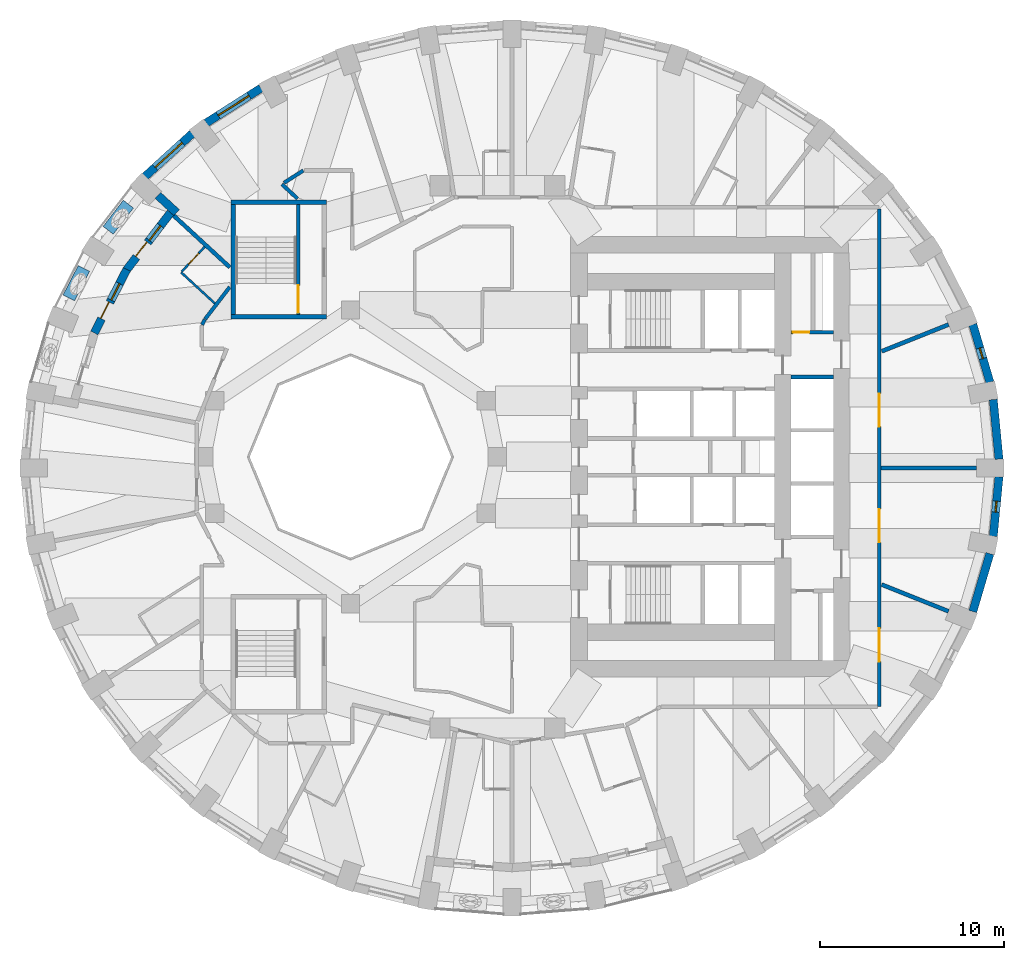
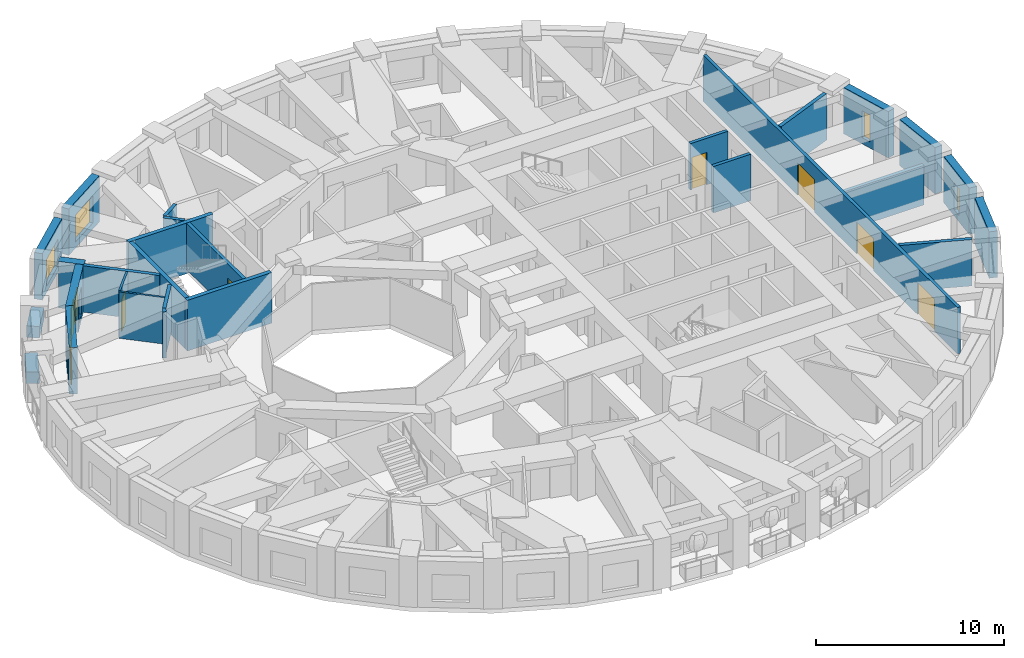
# One storey, part 7 of 13: 28 walls, 8 doors, 6 windows, 14 openings.
"""IFC4 building model written with IfcOpenShell, lengths in metres."""

from ifc_helpers import new_model, si_unit, direction, frame, frame_2d, origin, place, context, subcontext, project, spatial, rectangle, extrude, material, layer, layer_set, constituent, constituent_set, type_object, element, fill, save


model = new_model("IFC4")

# Units and contexts
model_context = context("Model", 3, precision=1e-05, world=origin(), true_north=direction((0.0, 1.0)))
body_context = subcontext(model_context, "Body", "Model", "MODEL_VIEW")
ifc_project = project(units=[si_unit("LENGTHUNIT", "METRE"), si_unit("AREAUNIT", "SQUARE_METRE"), si_unit("VOLUMEUNIT", "CUBIC_METRE"), si_unit("PLANEANGLEUNIT", "RADIAN"), si_unit("MASSUNIT", "GRAM", prefix="KILO")], contexts=[model_context])

# Site, building, storey
site_placement = place(None, origin())
site = spatial("IfcSite", under=ifc_project, at=site_placement, CompositionType="ELEMENT")
building_placement = place(site_placement, origin())
building = spatial("IfcBuilding", under=site, at=building_placement, Name="Taillehof Tower", CompositionType="ELEMENT")
storey_placement = place(building_placement, frame((0.0, 0.0, 108.699951171875)))
storey = spatial("IfcBuildingStorey", under=building, at=storey_placement, Name="L30", CompositionType="ELEMENT", Elevation=108.699951171875)

# Wall
ifc_material_1 = material(Name="Brick masonry", Category="masonry")
ifc_layer_1 = layer(ifc_material_1, 0.449951171875)
ifc_layer_set_1 = layer_set([ifc_layer_1], Name="Brick infill wall 450")
wall_type_1 = type_object("IfcWallType", Name="Brick infill wall 450", PredefinedType="SOLIDWALL", material=ifc_layer_set_1)
wall_1_placement = place(storey_placement, frame((27.32763671875, -0.119873046875, 0.0), z_axis=(0.0, 0.0, 1.0), x_axis=(-0.09589355735, 0.995391594127, 0.0)))
element("IfcWall", 1, at=wall_1_placement, inside=storey, type_object=wall_type_1, Name="Brick wall L30 bay 1", PredefinedType="SOLIDWALL", context=body_context, shape_type="SweptSolid", body=[
    extrude(rectangle(XDim=3.261474609375, YDim=0.449951171875, at=frame_2d((1.630859375, 0.0))), origin(), (0.0, 0.0, 1.0), 3.02001953125),
])

# Wall, opening, window
wall_2_placement = place(storey_placement, frame((26.83203125, 4.069091796875, 0.0), z_axis=(0.0, 0.0, 1.0), x_axis=(-0.283002902729, 0.959119052593, 0.0)))
wall_2 = element("IfcWall", 2, at=wall_2_placement, inside=storey, type_object=wall_type_1, Name="Brick wall L30 bay 2", PredefinedType="SOLIDWALL", context=body_context, shape_type="SweptSolid", body=[
    extrude(rectangle(XDim=3.285888671875, YDim=0.449951171875, at=frame_2d((1.64306640625, 0.0))), origin(), (0.0, 0.0, 1.0), 3.02001953125),
])
opening_1_placement = place(wall_2_placement, frame((1.343017578125, 0.0, 0.39990234375)))
opening_1 = element("IfcOpeningElement", 3, at=opening_1_placement, cuts=wall_2, Name="Opening W6", PredefinedType="OPENING", context=body_context, shape_type="SweptSolid", body=[
    extrude(rectangle(XDim=0.60009765625, YDim=1.75, at=frame_2d((0.300048828125, 0.875))), frame((0.0, 0.23486328125, 0.0), z_axis=(0.0, -1.0, 0.0), x_axis=(1.0, 0.0, 0.0)), (0.0, 0.0, 1.0), 0.469970703125),
])
ifc_material_2 = material(Name="Aluminium window frame with clear double glazing", Category="aluminium")
window_type_1 = type_object("IfcWindowType", Name="Slot window 600x1750", PartitioningType="SINGLE_PANEL", PredefinedType="WINDOW", material=ifc_material_2)
window_1_placement = place(opening_1_placement, origin())
window_1 = element("IfcWindow", 4, at=window_1_placement, inside=storey, type_object=window_type_1, Name="W6", OverallHeight=1.75, OverallWidth=0.60009765625, PartitioningType="SINGLE_PANEL", PredefinedType="WINDOW", context=body_context, shape_type="SweptSolid", body=[
    extrude(rectangle(XDim=0.60009765625, YDim=1.75, at=frame_2d((0.300048828125, 0.875))), frame((0.0, 0.034912109375, 0.0), z_axis=(0.0, -1.0, 0.0), x_axis=(1.0, 0.0, 0.0)), (0.0, 0.0, 1.0), 0.06005859375),
])
fill(opening_1, window_1)

wall_3_placement = place(storey_placement, frame((-12.87548828125, 20.087158203125, 0.0), z_axis=(0.0, 0.0, 1.0), x_axis=(-0.843860651879, -0.536562391722, 0.0)))
wall_3 = element("IfcWall", 5, at=wall_3_placement, inside=storey, type_object=wall_type_1, Name="Brick wall L30 bay 13", PredefinedType="SOLIDWALL", context=body_context, shape_type="SweptSolid", body=[
    extrude(rectangle(XDim=3.5322265625, YDim=0.449951171875, at=frame_2d((1.76611328125, 0.0))), origin(), (0.0, 0.0, 1.0), 3.02001953125),
])
opening_2_placement = place(wall_3_placement, frame((0.76611328125, 0.0, 0.39990234375)))
opening_2 = element("IfcOpeningElement", 6, at=opening_2_placement, cuts=wall_3, Name="Opening W2", PredefinedType="OPENING", context=body_context, shape_type="SweptSolid", body=[
    extrude(rectangle(XDim=2.0, YDim=1.75, at=frame_2d((1.0, 0.875))), frame((0.0, 0.23486328125, 0.0), z_axis=(0.0, -1.0, 0.0), x_axis=(1.0, 0.0, 0.0)), (0.0, 0.0, 1.0), 0.469970703125),
])
ifc_material_3 = material(Name="Aluminium window frame with clear double glazing", Category="aluminium")
window_type_2 = type_object("IfcWindowType", Name="Deep-set window 2000x1750", PartitioningType="SINGLE_PANEL", PredefinedType="WINDOW", material=ifc_material_3)
window_2_placement = place(opening_2_placement, origin())
window_2 = element("IfcWindow", 7, at=window_2_placement, inside=storey, type_object=window_type_2, Name="W2", OverallHeight=1.75, OverallWidth=2.0, PartitioningType="SINGLE_PANEL", PredefinedType="WINDOW", context=body_context, shape_type="SweptSolid", body=[
    extrude(rectangle(XDim=2.0, YDim=1.75, at=frame_2d((1.0, 0.875))), frame((0.0, 0.034912109375, 0.0), z_axis=(0.0, -1.0, 0.0), x_axis=(1.0, 0.0, 0.0)), (0.0, 0.0, 1.0), 0.06005859375),
])
fill(opening_2, window_2)

wall_4_placement = place(storey_placement, frame((-16.61962890625, 17.609619140625, 0.0), z_axis=(0.0, 0.0, 1.0), x_axis=(-0.74032902847, -0.672244694739, 0.0)))
wall_4 = element("IfcWall", 8, at=wall_4_placement, inside=storey, type_object=wall_type_1, Name="Brick wall L30 bay 14", PredefinedType="SOLIDWALL", context=body_context, shape_type="SweptSolid", body=[
    extrude(rectangle(XDim=3.4638671875, YDim=0.449951171875, at=frame_2d((1.73193359375, 0.0))), origin(), (0.0, 0.0, 1.0), 3.02001953125),
])
opening_3_placement = place(wall_4_placement, frame((0.73193359375, 0.0, 0.39990234375)))
opening_3 = element("IfcOpeningElement", 9, at=opening_3_placement, cuts=wall_4, Name="Opening W2", PredefinedType="OPENING", context=body_context, shape_type="SweptSolid", body=[
    extrude(rectangle(XDim=2.0, YDim=1.75, at=frame_2d((1.0, 0.875))), frame((0.0, 0.23486328125, 0.0), z_axis=(0.0, -1.0, 0.0), x_axis=(1.0, 0.0, 0.0)), (0.0, 0.0, 1.0), 0.469970703125),
])
window_3_placement = place(opening_3_placement, origin())
window_3 = element("IfcWindow", 10, at=window_3_placement, inside=storey, type_object=window_type_2, Name="W2", OverallHeight=1.75, OverallWidth=2.0, PartitioningType="SINGLE_PANEL", PredefinedType="WINDOW", context=body_context, shape_type="SweptSolid", body=[
    extrude(rectangle(XDim=2.0, YDim=1.75, at=frame_2d((1.0, 0.875))), frame((0.0, 0.034912109375, 0.0), z_axis=(0.0, -1.0, 0.0), x_axis=(1.0, 0.0, 0.0)), (0.0, 0.0, 1.0), 0.06005859375),
])
fill(opening_3, window_3)

# Wall
wall_5_placement = place(storey_placement, frame((25.902099609375, -8.4208984375, 0.0), z_axis=(0.0, 0.0, 1.0), x_axis=(0.282982737009, 0.95912500257, 0.0)))
element("IfcWall", 11, at=wall_5_placement, inside=storey, type_object=wall_type_1, Name="Brick wall L30 bay 35", PredefinedType="SOLIDWALL", context=body_context, shape_type="SweptSolid", body=[
    extrude(rectangle(XDim=3.2861328125, YDim=0.449951171875, at=frame_2d((1.64306640625, 0.0))), origin(), (0.0, 0.0, 1.0), 3.02001953125),
])

# Wall, opening, window
wall_6_placement = place(storey_placement, frame((27.014892578125, -4.326416015625, 0.0), z_axis=(0.0, 0.0, 1.0), x_axis=(0.09589355735, 0.995391594127, 0.0)))
wall_6 = element("IfcWall", 12, at=wall_6_placement, inside=storey, type_object=wall_type_1, Name="Brick wall L30 bay 36", PredefinedType="SOLIDWALL", context=body_context, shape_type="SweptSolid", body=[
    extrude(rectangle(XDim=3.261474609375, YDim=0.449951171875, at=frame_2d((1.630859375, 0.0))), origin(), (0.0, 0.0, 1.0), 3.02001953125),
])
opening_4_placement = place(wall_6_placement, frame((1.33056640625, 0.0, 0.39990234375)))
opening_4 = element("IfcOpeningElement", 13, at=opening_4_placement, cuts=wall_6, Name="Opening W6", PredefinedType="OPENING", context=body_context, shape_type="SweptSolid", body=[
    extrude(rectangle(XDim=0.60009765625, YDim=1.75, at=frame_2d((0.300048828125, 0.875))), frame((0.0, 0.23486328125, 0.0), z_axis=(0.0, -1.0, 0.0), x_axis=(1.0, 0.0, 0.0)), (0.0, 0.0, 1.0), 0.469970703125),
])
window_4_placement = place(opening_4_placement, origin())
window_4 = element("IfcWindow", 14, at=window_4_placement, inside=storey, type_object=window_type_1, Name="W6", OverallHeight=1.75, OverallWidth=0.60009765625, PartitioningType="SINGLE_PANEL", PredefinedType="WINDOW", context=body_context, shape_type="SweptSolid", body=[
    extrude(rectangle(XDim=0.60009765625, YDim=1.75, at=frame_2d((0.300048828125, 0.875))), frame((0.0, 0.034912109375, 0.0), z_axis=(0.0, -1.0, 0.0), x_axis=(1.0, 0.0, 0.0)), (0.0, 0.0, 1.0), 0.06005859375),
])
fill(opening_4, window_4)

# Wall
wall_7_placement = place(storey_placement, frame((-18.48974609375, 14.2470703125, 0.0), z_axis=(0.0, 0.0, 1.0), x_axis=(0.735307968822, -0.67773312667, 0.0)))
element("IfcWall", 15, at=wall_7_placement, inside=storey, type_object=wall_type_1, Name="Brick reveal L30 pocket 4", PredefinedType="SOLIDWALL", context=body_context, shape_type="SweptSolid", body=[
    extrude(rectangle(XDim=1.390869140625, YDim=0.449951171875, at=frame_2d((0.6953125, 0.0))), origin(), (0.0, 0.0, 1.0), 3.02001953125),
])

# Wall, openings, door, window
wall_8_placement = place(storey_placement, frame((-17.799072265625, 13.304443359375, 0.0), z_axis=(0.0, 0.0, 1.0), x_axis=(-0.609698797728, -0.792633191362, 0.0)))
wall_8 = element("IfcWall", 16, at=wall_8_placement, inside=storey, type_object=wall_type_1, Name="Brick wall L30 pocket bay 15", PredefinedType="SOLIDWALL", context=body_context, shape_type="SweptSolid", body=[
    extrude(rectangle(XDim=3.945068359375, YDim=0.449951171875, at=frame_2d((1.97265625, 0.0))), origin(), (0.0, 0.0, 1.0), 3.02001953125),
])
opening_5_placement = place(wall_8_placement, frame((0.8974609375, 0.0, 0.39990234375)))
opening_5 = element("IfcOpeningElement", 17, at=opening_5_placement, cuts=wall_8, Name="Opening W5", PredefinedType="OPENING", context=body_context, shape_type="SweptSolid", body=[
    extrude(rectangle(XDim=1.0, YDim=1.75, at=frame_2d((0.5, 0.875))), frame((0.0, 0.23486328125, 0.0), z_axis=(0.0, -1.0, 0.0), x_axis=(1.0, 0.0, 0.0)), (0.0, 0.0, 1.0), 0.469970703125),
])
opening_6_placement = place(wall_8_placement, frame((2.04736328125, 0.0, 0.0)))
opening_6 = element("IfcOpeningElement", 18, at=opening_6_placement, cuts=wall_8, Name="Opening D3091", PredefinedType="OPENING", context=body_context, shape_type="SweptSolid", body=[
    extrude(rectangle(XDim=1.0, YDim=2.14990234375, at=frame_2d((0.5, 1.074951171875))), frame((0.0, 0.23486328125, 0.0), z_axis=(0.0, -1.0, 0.0), x_axis=(1.0, 0.0, 0.0)), (0.0, 0.0, 1.0), 0.469970703125),
])
ifc_material_4 = material(Name="Aluminium door frame with clear double glazing", Category="aluminium")
door_type_1 = type_object("IfcDoorType", Name="Balcony door 1000x2150", OperationType="SINGLE_SWING_RIGHT", PredefinedType="DOOR", material=ifc_material_4)
door_1_placement = place(opening_6_placement, frame((1.0, 0.0, 0.0), z_axis=(0.0, 0.0, 1.0), x_axis=(-1.0, 0.0, 0.0)))
door_1 = element("IfcDoor", 19, at=door_1_placement, inside=storey, type_object=door_type_1, Name="Balcony door L30 bay 15", OperationType="SINGLE_SWING_RIGHT", OverallHeight=2.14990234375, OverallWidth=1.0, PredefinedType="DOOR", context=body_context, shape_type="SweptSolid", body=[
    extrude(rectangle(XDim=1.0, YDim=2.14990234375, at=frame_2d((0.5, 1.074951171875))), frame((0.0, 0.0751953125, 0.0), z_axis=(0.0, -1.0, 0.0), x_axis=(1.0, 0.0, 0.0)), (0.0, 0.0, 1.0), 0.050048828125),
])
fill(opening_6, door_1)
ifc_material_5 = material(Name="Aluminium window frame with clear double glazing", Category="aluminium")
window_type_3 = type_object("IfcWindowType", Name="Fixed window 1000x1750", PartitioningType="SINGLE_PANEL", PredefinedType="WINDOW", material=ifc_material_5)
window_5_placement = place(opening_5_placement, origin())
window_5 = element("IfcWindow", 20, at=window_5_placement, inside=storey, type_object=window_type_3, Name="W5", OverallHeight=1.75, OverallWidth=1.0, PartitioningType="SINGLE_PANEL", PredefinedType="WINDOW", context=body_context, shape_type="SweptSolid", body=[
    extrude(rectangle(XDim=1.0, YDim=1.75, at=frame_2d((0.5, 0.875))), frame((0.0, 0.034912109375, 0.0), z_axis=(0.0, -1.0, 0.0), x_axis=(1.0, 0.0, 0.0)), (0.0, 0.0, 1.0), 0.06005859375),
])
fill(opening_5, window_5)

wall_9_placement = place(storey_placement, frame((-20.182373046875, 10.212158203125, 0.0), z_axis=(0.0, 0.0, 1.0), x_axis=(-0.455932890657, -0.890014156751, 0.0)))
wall_9 = element("IfcWall", 21, at=wall_9_placement, inside=storey, type_object=wall_type_1, Name="Brick wall L30 pocket bay 16", PredefinedType="SOLIDWALL", context=body_context, shape_type="SweptSolid", body=[
    extrude(rectangle(XDim=3.88818359375, YDim=0.449951171875, at=frame_2d((1.944091796875, 0.0))), origin(), (0.0, 0.0, 1.0), 3.02001953125),
])
opening_7_placement = place(wall_9_placement, frame((0.868896484375, 0.0, 0.39990234375)))
opening_7 = element("IfcOpeningElement", 22, at=opening_7_placement, cuts=wall_9, Name="Opening W5", PredefinedType="OPENING", context=body_context, shape_type="SweptSolid", body=[
    extrude(rectangle(XDim=1.0, YDim=1.75, at=frame_2d((0.5, 0.875))), frame((0.0, 0.23486328125, 0.0), z_axis=(0.0, -1.0, 0.0), x_axis=(1.0, 0.0, 0.0)), (0.0, 0.0, 1.0), 0.469970703125),
])
opening_8_placement = place(wall_9_placement, frame((2.01904296875, 0.0, 0.0)))
opening_8 = element("IfcOpeningElement", 23, at=opening_8_placement, cuts=wall_9, Name="Opening D3092", PredefinedType="OPENING", context=body_context, shape_type="SweptSolid", body=[
    extrude(rectangle(XDim=1.0, YDim=2.14990234375, at=frame_2d((0.5, 1.074951171875))), frame((0.0, 0.23486328125, 0.0), z_axis=(0.0, -1.0, 0.0), x_axis=(1.0, 0.0, 0.0)), (0.0, 0.0, 1.0), 0.469970703125),
])
door_2_placement = place(opening_8_placement, frame((1.0, 0.0, 0.0), z_axis=(0.0, 0.0, 1.0), x_axis=(-1.0, 0.0, 0.0)))
door_2 = element("IfcDoor", 24, at=door_2_placement, inside=storey, type_object=door_type_1, Name="Balcony door L30 bay 16", OperationType="SINGLE_SWING_LEFT", OverallHeight=2.14990234375, OverallWidth=1.0, PredefinedType="DOOR", context=body_context, shape_type="SweptSolid", body=[
    extrude(rectangle(XDim=1.0, YDim=2.14990234375, at=frame_2d((0.5, 1.074951171875))), frame((0.0, 0.0751953125, 0.0), z_axis=(0.0, -1.0, 0.0), x_axis=(1.0, 0.0, 0.0)), (0.0, 0.0, 1.0), 0.050048828125),
])
fill(opening_8, door_2)
window_6_placement = place(opening_7_placement, origin())
window_6 = element("IfcWindow", 25, at=window_6_placement, inside=storey, type_object=window_type_3, Name="W5", OverallHeight=1.75, OverallWidth=1.0, PartitioningType="SINGLE_PANEL", PredefinedType="WINDOW", context=body_context, shape_type="SweptSolid", body=[
    extrude(rectangle(XDim=1.0, YDim=1.75, at=frame_2d((0.5, 0.875))), frame((0.0, 0.034912109375, 0.0), z_axis=(0.0, -1.0, 0.0), x_axis=(1.0, 0.0, 0.0)), (0.0, 0.0, 1.0), 0.06005859375),
])
fill(opening_7, window_6)

# Wall, opening, door
ifc_material_6 = material(Name="Calcium silicate masonry", Category="masonry")
ifc_layer_2 = layer(ifc_material_6, 0.199951171875)
ifc_layer_set_2 = layer_set([ifc_layer_2], Name="Compartment wall calcium silicate 200")
wall_type_2 = type_object("IfcWallType", Name="Compartment wall calcium silicate 200", PredefinedType="PARTITIONING", material=ifc_layer_set_2)
wall_10_placement = place(storey_placement, frame((16.0, 6.800048828125, 0.0), z_axis=(0.0, 0.0, 1.0), x_axis=(1.0, 0.0, 0.0)))
wall_10 = element("IfcWall", 26, at=wall_10_placement, inside=storey, type_object=wall_type_2, Name="Compartment wall FW", PredefinedType="PARTITIONING", context=body_context, shape_type="SweptSolid", body=[
    extrude(rectangle(XDim=2.300048828125, YDim=0.199951171875, at=frame_2d((1.14990234375, 0.0))), origin(), (0.0, 0.0, 1.0), 3.02001953125),
])
opening_9_placement = place(wall_10_placement, frame((0.10009765625, 0.0, 0.0)))
opening_9 = element("IfcOpeningElement", 27, at=opening_9_placement, cuts=wall_10, Name="Opening D3016", PredefinedType="OPENING", context=body_context, shape_type="SweptSolid", body=[
    extrude(rectangle(XDim=0.89990234375, YDim=2.10009765625, at=frame_2d((0.449951171875, 1.050048828125))), frame((0.0, 0.10986328125, 0.0), z_axis=(0.0, -1.0, 0.0), x_axis=(1.0, 0.0, 0.0)), (0.0, 0.0, 1.0), 0.219970703125),
])
ifc_material_7 = material(Name="Steel-faced fire door", Category="steel")
door_type_2 = type_object("IfcDoorType", Name="Riser and service room door 900x2100", OperationType="SINGLE_SWING_LEFT", PredefinedType="DOOR", material=ifc_material_7)
door_3_placement = place(opening_9_placement, origin())
door_3 = element("IfcDoor", 28, at=door_3_placement, inside=storey, type_object=door_type_2, Name="Door Battery Room", OperationType="SINGLE_SWING_RIGHT", OverallHeight=2.10009765625, OverallWidth=0.89990234375, PredefinedType="DOOR", context=body_context, shape_type="SweptSolid", body=[
    extrude(rectangle(XDim=0.89990234375, YDim=2.10009765625, at=frame_2d((0.449951171875, 1.050048828125))), frame((0.0, 0.02490234375, 0.0), z_axis=(0.0, -1.0, 0.0), x_axis=(1.0, 0.0, 0.0)), (0.0, 0.0, 1.0), 0.050048828125),
])
fill(opening_9, door_3)

# Walls
ifc_material_8 = material(Name="Gypsum board on steel studs, two layers each side", Category="steel")
ifc_layer_3 = layer(ifc_material_8, 0.199951171875)
ifc_layer_set_3 = layer_set([ifc_layer_3], Name="Compartment wall corridor 200")
wall_type_3 = type_object("IfcWallType", Name="Compartment wall corridor 200", PredefinedType="PARTITIONING", material=ifc_layer_set_3)
wall_11_placement = place(storey_placement, frame((-16.08203125, 7.195556640625, 0.0), z_axis=(0.0, 0.0, 1.0), x_axis=(0.456789128428, 0.889575006478, 0.0)))
element("IfcWall", 29, at=wall_11_placement, inside=storey, type_object=wall_type_3, Name="Compartment wall", PredefinedType="PARTITIONING", context=body_context, shape_type="SweptSolid", body=[
    extrude(rectangle(XDim=0.335693359375, YDim=0.199951171875, at=frame_2d((0.16796875, 0.0))), origin(), (0.0, 0.0, 1.0), 3.02001953125),
])
wall_12_placement = place(storey_placement, frame((-15.91650390625, 7.510009765625, 0.0), z_axis=(0.0, 0.0, 1.0), x_axis=(0.609673267649, 0.792652828617, 0.0)))
element("IfcWall", 30, at=wall_12_placement, inside=storey, type_object=wall_type_3, Name="Compartment wall", PredefinedType="PARTITIONING", context=body_context, shape_type="SweptSolid", body=[
    extrude(rectangle(XDim=2.202880859375, YDim=0.199951171875, at=frame_2d((1.1015625, 0.0))), origin(), (0.0, 0.0, 1.0), 3.02001953125),
])
wall_13_placement = place(storey_placement, frame((-10.88330078125, 14.070068359375, 0.0), z_axis=(0.0, 0.0, 1.0), x_axis=(-0.735263405477, 0.677781472575, 0.0)))
element("IfcWall", 31, at=wall_13_placement, inside=storey, type_object=wall_type_3, Name="Compartment wall", PredefinedType="PARTITIONING", context=body_context, shape_type="SweptSolid", body=[
    extrude(rectangle(XDim=1.159423828125, YDim=0.199951171875, at=frame_2d((0.57958984375, 0.0))), origin(), (0.0, 0.0, 1.0), 3.02001953125),
])
wall_14_placement = place(storey_placement, frame((-11.617919921875, 14.93115234375, 0.0), z_axis=(0.0, 0.0, 1.0), x_axis=(0.84322497481, 0.537560826193, 0.0)))
element("IfcWall", 32, at=wall_14_placement, inside=storey, type_object=wall_type_3, Name="Compartment wall", PredefinedType="PARTITIONING", context=body_context, shape_type="SweptSolid", body=[
    extrude(rectangle(XDim=1.244384765625, YDim=0.199951171875, at=frame_2d((0.6220703125, 0.0))), origin(), (0.0, 0.0, 1.0), 3.02001953125),
])

# Wall, openings, doors
wall_15_placement = place(storey_placement, frame((20.800048828125, 13.5, 0.0), z_axis=(0.0, 0.0, 1.0), x_axis=(0.0, -1.0, 0.0)))
wall_15 = element("IfcWall", 33, at=wall_15_placement, inside=storey, type_object=wall_type_3, Name="Compartment wall", PredefinedType="PARTITIONING", context=body_context, shape_type="SweptSolid", body=[
    extrude(rectangle(XDim=27.10009765625, YDim=0.199951171875, at=frame_2d((13.550048828125, 0.0))), origin(), (0.0, 0.0, 1.0), 3.02001953125),
])
opening_10_placement = place(wall_15_placement, frame((22.84375, 0.0, 0.0)))
opening_10 = element("IfcOpeningElement", 34, at=opening_10_placement, cuts=wall_15, Name="Opening D3064", PredefinedType="OPENING", context=body_context, shape_type="SweptSolid", body=[
    extrude(rectangle(XDim=1.800048828125, YDim=2.10009765625, at=frame_2d((0.89990234375, 1.050048828125))), frame((0.0, 0.10986328125, 0.0), z_axis=(0.0, -1.0, 0.0), x_axis=(1.0, 0.0, 0.0)), (0.0, 0.0, 1.0), 0.219970703125),
])
opening_11_placement = place(wall_15_placement, frame((16.349609375, 0.0, 0.0)))
opening_11 = element("IfcOpeningElement", 35, at=opening_11_placement, cuts=wall_15, Name="Opening D3065", PredefinedType="OPENING", context=body_context, shape_type="SweptSolid", body=[
    extrude(rectangle(XDim=1.800048828125, YDim=2.10009765625, at=frame_2d((0.89990234375, 1.050048828125))), frame((0.0, 0.10986328125, 0.0), z_axis=(0.0, -1.0, 0.0), x_axis=(1.0, 0.0, 0.0)), (0.0, 0.0, 1.0), 0.219970703125),
])
opening_12_placement = place(wall_15_placement, frame((10.050537109375, 0.0, 0.0)))
opening_12 = element("IfcOpeningElement", 36, at=opening_12_placement, cuts=wall_15, Name="Opening D3066", PredefinedType="OPENING", context=body_context, shape_type="SweptSolid", body=[
    extrude(rectangle(XDim=1.800048828125, YDim=2.10009765625, at=frame_2d((0.89990234375, 1.050048828125))), frame((0.0, 0.10986328125, 0.0), z_axis=(0.0, -1.0, 0.0), x_axis=(1.0, 0.0, 0.0)), (0.0, 0.0, 1.0), 0.219970703125),
])
ifc_material_9 = material(Name="Timber door leaf in steel frame", Category="steel")
door_type_3 = type_object("IfcDoorType", Name="Lounge and meeting room double door EI 30 1800 x 2100", OperationType="SINGLE_SWING_LEFT", PredefinedType="DOOR", material=ifc_material_9)
door_4_placement = place(opening_10_placement, origin())
door_4 = element("IfcDoor", 37, at=door_4_placement, inside=storey, type_object=door_type_3, Name="D3064", OperationType="DOUBLE_DOOR_SINGLE_SWING", OverallHeight=2.10009765625, OverallWidth=1.800048828125, PredefinedType="DOOR", context=body_context, shape_type="SweptSolid", body=[
    extrude(rectangle(XDim=1.800048828125, YDim=2.10009765625, at=frame_2d((0.89990234375, 1.050048828125))), frame((0.0, 0.02490234375, 0.0), z_axis=(0.0, -1.0, 0.0), x_axis=(1.0, 0.0, 0.0)), (0.0, 0.0, 1.0), 0.050048828125),
])
fill(opening_10, door_4)
door_5_placement = place(opening_11_placement, origin())
door_5 = element("IfcDoor", 38, at=door_5_placement, inside=storey, type_object=door_type_3, Name="D3065", OperationType="DOUBLE_DOOR_SINGLE_SWING", OverallHeight=2.10009765625, OverallWidth=1.800048828125, PredefinedType="DOOR", context=body_context, shape_type="SweptSolid", body=[
    extrude(rectangle(XDim=1.800048828125, YDim=2.10009765625, at=frame_2d((0.89990234375, 1.050048828125))), frame((0.0, 0.02490234375, 0.0), z_axis=(0.0, -1.0, 0.0), x_axis=(1.0, 0.0, 0.0)), (0.0, 0.0, 1.0), 0.050048828125),
])
fill(opening_11, door_5)
door_6_placement = place(opening_12_placement, origin())
door_6 = element("IfcDoor", 39, at=door_6_placement, inside=storey, type_object=door_type_3, Name="D3066", OperationType="DOUBLE_DOOR_SINGLE_SWING", OverallHeight=2.10009765625, OverallWidth=1.800048828125, PredefinedType="DOOR", context=body_context, shape_type="SweptSolid", body=[
    extrude(rectangle(XDim=1.800048828125, YDim=2.10009765625, at=frame_2d((0.89990234375, 1.050048828125))), frame((0.0, 0.02490234375, 0.0), z_axis=(0.0, -1.0, 0.0), x_axis=(1.0, 0.0, 0.0)), (0.0, 0.0, 1.0), 0.050048828125),
])
fill(opening_12, door_6)

# Walls
ifc_material_10 = material(Name="Gypsum board on double steel studs with mineral wool", Category="steel")
ifc_layer_4 = layer(ifc_material_10, 0.219970703125)
ifc_layer_set_4 = layer_set([ifc_layer_4], Name="Compartment wall guest room 220")
wall_type_4 = type_object("IfcWallType", Name="Compartment wall guest room 220", PredefinedType="PARTITIONING", material=ifc_layer_set_4)
wall_16_placement = place(storey_placement, frame((26.10009765625, -0.60009765625, 0.0), z_axis=(0.0, 0.0, 1.0), x_axis=(-1.0, 0.0, 0.0)))
element("IfcWall", 40, at=wall_16_placement, inside=storey, type_object=wall_type_4, Name="Compartment wall", PredefinedType="PARTITIONING", context=body_context, shape_type="SweptSolid", body=[
    extrude(rectangle(XDim=5.199951171875, YDim=0.219970703125, at=frame_2d((2.60009765625, 0.0))), origin(), (0.0, 0.0, 1.0), 2.570068359375),
])
wall_17_placement = place(storey_placement, frame((24.58251953125, 7.21044921875, 0.0), z_axis=(0.0, 0.0, 1.0), x_axis=(-0.928528147853, -0.371262008083, 0.0)))
element("IfcWall", 41, at=wall_17_placement, inside=storey, type_object=wall_type_4, Name="Compartment wall", PredefinedType="PARTITIONING", context=body_context, shape_type="SweptSolid", body=[
    extrude(rectangle(XDim=3.92578125, YDim=0.219970703125, at=frame_2d((1.962890625, 0.0))), origin(), (0.0, 0.0, 1.0), 3.02001953125),
])
wall_18_placement = place(storey_placement, frame((-17.633056640625, 13.1513671875, 0.0), z_axis=(0.0, 0.0, 1.0), x_axis=(0.73535370522, -0.677683501511, 0.0)))
element("IfcWall", 42, at=wall_18_placement, inside=storey, type_object=wall_type_4, Name="Compartment wall", PredefinedType="PARTITIONING", context=body_context, shape_type="SweptSolid", body=[
    extrude(rectangle(XDim=4.165771484375, YDim=0.219970703125, at=frame_2d((2.0830078125, 0.0))), origin(), (0.0, 0.0, 1.0), 3.02001953125),
])
wall_19_placement = place(storey_placement, frame((24.58251953125, -8.410400390625, 0.0), z_axis=(0.0, 0.0, 1.0), x_axis=(-0.928528147853, 0.371262008083, 0.0)))
element("IfcWall", 43, at=wall_19_placement, inside=storey, type_object=wall_type_4, Name="Compartment wall", PredefinedType="PARTITIONING", context=body_context, shape_type="SweptSolid", body=[
    extrude(rectangle(XDim=3.92578125, YDim=0.219970703125, at=frame_2d((1.962890625, 0.0))), origin(), (0.0, 0.0, 1.0), 3.02001953125),
])
ifc_material_11 = material(Name="Gypsum board on steel studs, moisture resistant", Category="steel")
ifc_layer_5 = layer(ifc_material_11, 0.1201171875)
ifc_layer_set_5 = layer_set([ifc_layer_5], Name="En-suite wall 120")
wall_type_5 = type_object("IfcWallType", Name="En-suite wall 120", PredefinedType="PARTITIONING", material=ifc_layer_set_5)
wall_20_placement = place(storey_placement, frame((-15.387451171875, 8.36181640625, 0.0), z_axis=(0.0, 0.0, 1.0), x_axis=(-0.735313004993, 0.677727662626, 0.0)))
element("IfcWall", 44, at=wall_20_placement, inside=storey, type_object=wall_type_5, Name="En-suite wall", PredefinedType="PARTITIONING", context=body_context, shape_type="SweptSolid", body=[
    extrude(rectangle(XDim=2.4970703125, YDim=0.1201171875, at=frame_2d((1.24853515625, 0.0))), origin(), (0.0, 0.0, 1.0), 3.02001953125),
])

# Wall, opening, door
wall_21_placement = place(storey_placement, frame((-17.182861328125, 10.098388671875, 0.0), z_axis=(0.0, 0.0, 1.0), x_axis=(0.677631502542, 0.735401622763, 0.0)))
wall_21 = element("IfcWall", 45, at=wall_21_placement, inside=storey, type_object=wall_type_5, Name="En-suite wall", PredefinedType="PARTITIONING", context=body_context, shape_type="SweptSolid", body=[
    extrude(rectangle(XDim=1.829833984375, YDim=0.1201171875, at=frame_2d((0.9150390625, 0.0))), origin(), (0.0, 0.0, 1.0), 3.02001953125),
])
opening_13_placement = place(wall_21_placement, frame((0.539794921875, 0.0, 0.0)))
opening_13 = element("IfcOpeningElement", 46, at=opening_13_placement, cuts=wall_21, Name="Opening D3050", PredefinedType="OPENING", context=body_context, shape_type="SweptSolid", body=[
    extrude(rectangle(XDim=0.800048828125, YDim=2.10009765625, at=frame_2d((0.39990234375, 1.050048828125))), frame((0.0, 0.070068359375, 0.0), z_axis=(0.0, -1.0, 0.0), x_axis=(1.0, 0.0, 0.0)), (0.0, 0.0, 1.0), 0.14013671875),
])
ifc_material_12 = material(Name="Timber door leaf in steel frame", Category="steel")
door_type_4 = type_object("IfcDoorType", Name="En-suite door 800 x 2100", OperationType="SINGLE_SWING_LEFT", PredefinedType="DOOR", material=ifc_material_12)
door_7_placement = place(opening_13_placement, origin())
door_7 = element("IfcDoor", 47, at=door_7_placement, inside=storey, type_object=door_type_4, Name="D3050", OperationType="SINGLE_SWING_LEFT", OverallHeight=2.10009765625, OverallWidth=0.800048828125, PredefinedType="DOOR", context=body_context, shape_type="SweptSolid", body=[
    extrude(rectangle(XDim=0.800048828125, YDim=2.10009765625, at=frame_2d((0.39990234375, 1.050048828125))), frame((0.0, 0.02490234375, 0.0), z_axis=(0.0, -1.0, 0.0), x_axis=(1.0, 0.0, 0.0)), (0.0, 0.0, 1.0), 0.050048828125),
])
fill(opening_13, door_7)

# Walls
ifc_material_13 = material(Name="Concrete C30/37 precast", Category="concrete")
ifc_constituent_1 = constituent(ifc_material_13, Name="Structure", Category="concrete")
ifc_material_14 = material(Name="Insulated lining")
ifc_constituent_2 = constituent(ifc_material_14, Name="Lining")
ifc_constituent_set = constituent_set(constituents=[ifc_constituent_1, ifc_constituent_2], Name="Planter trough 700x750")
wall_type_6 = type_object("IfcWallType", Name="Planter trough 700x750", PredefinedType="USERDEFINED", material=ifc_constituent_set)
wall_22_placement = place(storey_placement, frame((-20.096435546875, 13.769775390625, 0.0), z_axis=(0.0, 0.0, 1.0), x_axis=(-0.610752434717, -0.791821610899, 0.0)))
element("IfcWall", 48, at=wall_22_placement, inside=storey, type_object=wall_type_6, Name="Planter L30 bay 15", ObjectType="PLANTER", PredefinedType="USERDEFINED", context=body_context, shape_type="SweptSolid", body=[
    extrude(rectangle(XDim=1.800048828125, YDim=0.699951171875, at=frame_2d((0.89990234375, 0.0))), origin(), (0.0, 0.0, 1.0), 0.75),
])
wall_23_placement = place(storey_placement, frame((-22.51953125, 10.2646484375, 0.0), z_axis=(0.0, 0.0, 1.0), x_axis=(-0.456845298981, -0.88954616114, 0.0)))
element("IfcWall", 49, at=wall_23_placement, inside=storey, type_object=wall_type_6, Name="Planter L30 bay 16", ObjectType="PLANTER", PredefinedType="USERDEFINED", context=body_context, shape_type="SweptSolid", body=[
    extrude(rectangle(XDim=1.7998046875, YDim=0.699951171875, at=frame_2d((0.89990234375, 0.0))), origin(), (0.0, 0.0, 1.0), 0.75),
])

# Wall, opening, door
ifc_material_15 = material(Name="Concrete C50/60", Category="concrete")
ifc_layer_6 = layer(ifc_material_15, 0.199951171875)
ifc_layer_set_6 = layer_set([ifc_layer_6], Name="Shaft wall C50/60 200")
wall_type_7 = type_object("IfcWallType", Name="Shaft wall C50/60 200", PredefinedType="SHEAR", material=ifc_layer_set_6)
wall_24_placement = place(storey_placement, frame((-10.85009765625, 7.75, 0.0), z_axis=(0.0, 0.0, 1.0), x_axis=(0.0, 1.0, 0.0)))
wall_24 = element("IfcWall", 50, at=wall_24_placement, inside=storey, type_object=wall_type_7, Name="Shaft wall SW", PredefinedType="SHEAR", context=body_context, shape_type="SweptSolid", body=[
    extrude(rectangle(XDim=6.0, YDim=0.199951171875, at=frame_2d((3.0, 0.0))), origin(), (0.0, 0.0, 1.0), 3.02001953125),
])
opening_14_placement = place(wall_24_placement, frame((0.10009765625, 0.0, 0.0)))
opening_14 = element("IfcOpeningElement", 51, at=opening_14_placement, cuts=wall_24, Name="Opening D3012", PredefinedType="OPENING", context=body_context, shape_type="SweptSolid", body=[
    extrude(rectangle(XDim=1.5, YDim=2.10009765625, at=frame_2d((0.75, 1.050048828125))), frame((0.0, 0.10986328125, 0.0), z_axis=(0.0, -1.0, 0.0), x_axis=(1.0, 0.0, 0.0)), (0.0, 0.0, 1.0), 0.219970703125),
])
ifc_material_16 = material(Name="Steel-faced fire door", Category="steel")
door_type_5 = type_object("IfcDoorType", Name="Stair door 1500x2100", OperationType="DOUBLE_DOOR_SINGLE_SWING", PredefinedType="DOOR", material=ifc_material_16)
door_8_placement = place(opening_14_placement, origin())
door_8 = element("IfcDoor", 52, at=door_8_placement, inside=storey, type_object=door_type_5, Name="Stair lobby door S3", OperationType="DOUBLE_DOOR_SINGLE_SWING", OverallHeight=2.10009765625, OverallWidth=1.5, PredefinedType="DOOR", context=body_context, shape_type="SweptSolid", body=[
    extrude(rectangle(XDim=1.5, YDim=2.10009765625, at=frame_2d((0.75, 1.050048828125))), frame((0.0, 0.02490234375, 0.0), z_axis=(0.0, -1.0, 0.0), x_axis=(1.0, 0.0, 0.0)), (0.0, 0.0, 1.0), 0.050048828125),
])
fill(opening_14, door_8)

# Walls
wall_25_placement = place(storey_placement, frame((16.0, 4.35009765625, 0.0), z_axis=(0.0, 0.0, 1.0), x_axis=(1.0, 0.0, 0.0)))
element("IfcWall", 53, at=wall_25_placement, inside=storey, type_object=wall_type_7, Name="Shaft wall SW", PredefinedType="SHEAR", context=body_context, shape_type="SweptSolid", body=[
    extrude(rectangle(XDim=2.300048828125, YDim=0.199951171875, at=frame_2d((1.14990234375, 0.0))), origin(), (0.0, 0.0, 1.0), 3.02001953125),
])
ifc_material_17 = material(Name="Concrete C50/60", Category="concrete")
ifc_layer_7 = layer(ifc_material_17, 0.25)
ifc_layer_set_7 = layer_set([ifc_layer_7], Name="Stair wall C50/60 250")
wall_type_8 = type_object("IfcWallType", Name="Stair wall C50/60 250", PredefinedType="SHEAR", material=ifc_layer_set_7)
wall_26_placement = place(storey_placement, frame((-14.375, 7.75, -0.280029296875), z_axis=(0.0, 0.0, 1.0), x_axis=(0.0, 1.0, 0.0)))
element("IfcWall", 54, at=wall_26_placement, inside=storey, type_object=wall_type_8, Name="Stair wall SC", PredefinedType="SHEAR", context=body_context, shape_type="SweptSolid", body=[
    extrude(rectangle(XDim=6.0, YDim=0.25, at=frame_2d((3.0, 0.0))), origin(), (0.0, 0.0, 1.0), 3.300048828125),
])
for number, where, z_axis, x_axis, name in (
    (55, (-14.5, 13.875, -0.280029296875), (0.0, 0.0, 1.0), (1.0, 0.0, 0.0), "Stair wall SC"),
    (56, (-14.5, 7.625, -0.280029296875), (0.0, 0.0, 1.0), (1.0, 0.0, 0.0), "Stair wall SC"),
):
    element("IfcWall", number, at=place(storey_placement, frame(where, z_axis=z_axis, x_axis=x_axis)), inside=storey, type_object=wall_type_8, Name=name, PredefinedType="SHEAR", context=body_context, shape_type="SweptSolid", body=[
        extrude(rectangle(XDim=5.199951171875, YDim=0.25, at=frame_2d((2.60009765625, 0.0))), origin(), (0.0, 0.0, 1.0), 3.300048828125),
    ])

save(model, "model.ifc")
